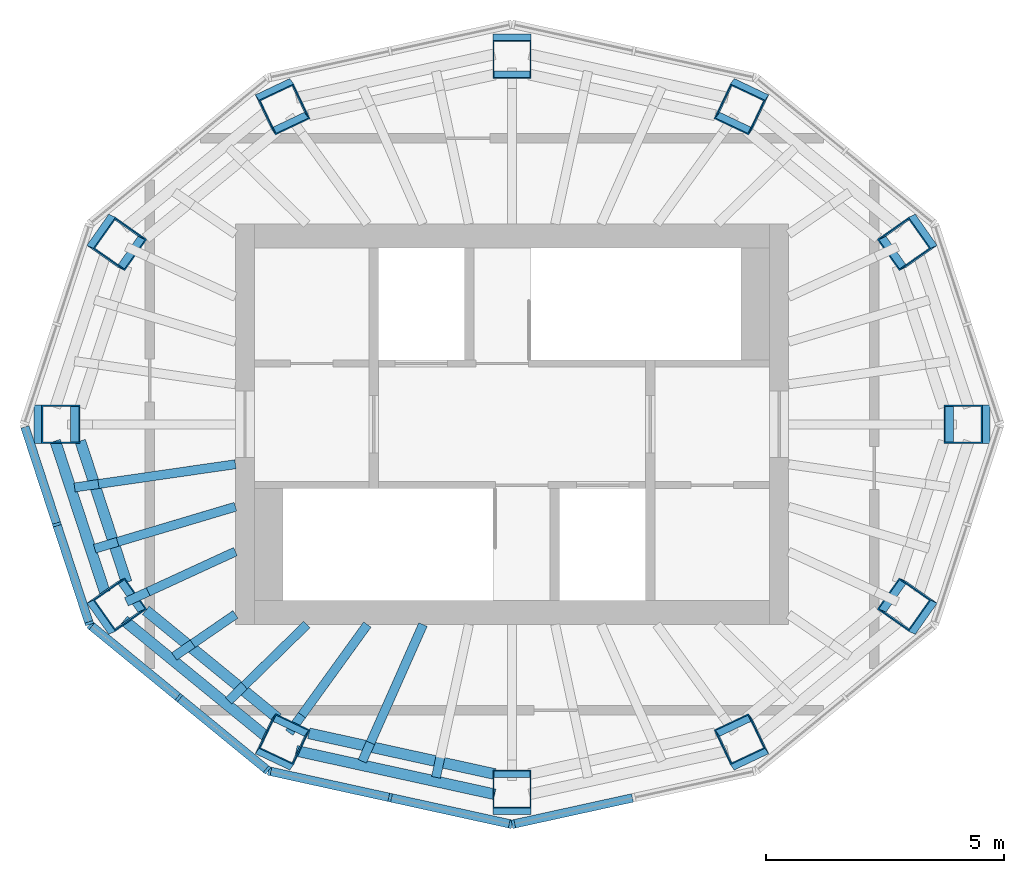
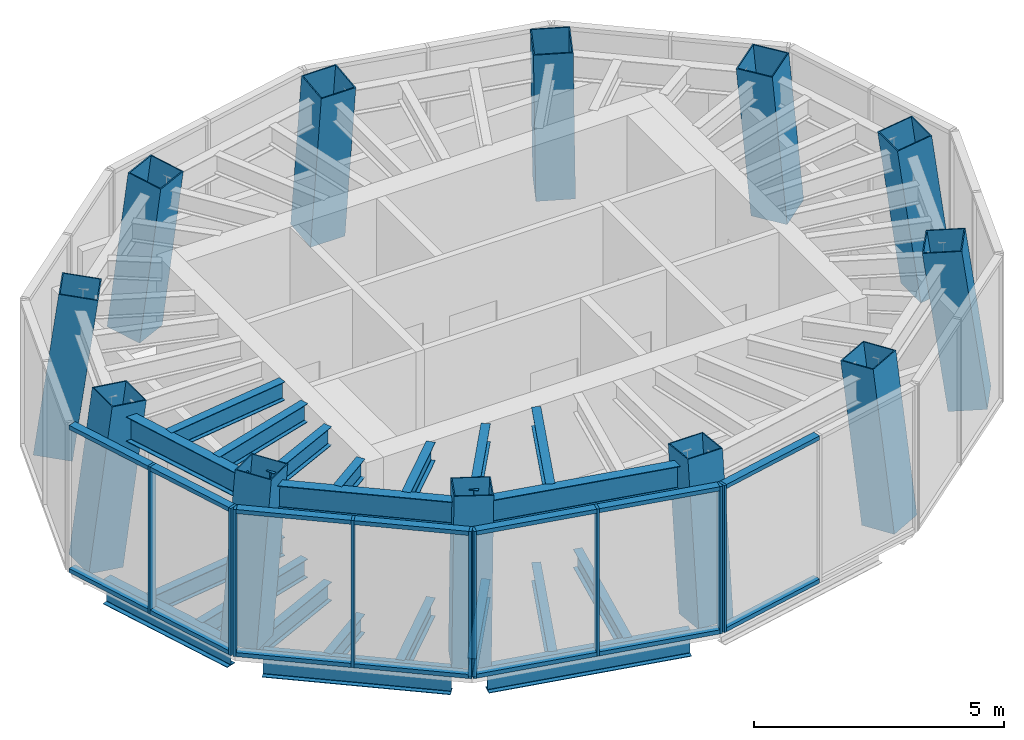
# One storey, part 1 of 6: 23 members, 21 beams, 12 columns, 4 elements without a shape of their own.
"""IFC4 building model written with IfcOpenShell, lengths in metres."""

from ifc_helpers import new_model, si_unit, direction, frame, origin, origin_2d, place, context, subcontext, project, spatial, rectangle, hollow_rectangle, i_section, extrude, material, layer, layer_set, material_profile, profile_set, type_object, element, aggregate, save


model = new_model("IFC4")

# Units and contexts
model_context = context("Model", 3, precision=1e-05, world=origin(), true_north=direction((0.0, 1.0)))
body_context = subcontext(model_context, "Body", "Model", "MODEL_VIEW")
ifc_project = project(units=[si_unit("LENGTHUNIT", "METRE"), si_unit("AREAUNIT", "SQUARE_METRE"), si_unit("VOLUMEUNIT", "CUBIC_METRE"), si_unit("PLANEANGLEUNIT", "RADIAN"), si_unit("MASSUNIT", "GRAM", prefix="KILO")], contexts=[model_context])

# Site, building, storey
site_placement = place(None, origin())
site = spatial("IfcSite", under=ifc_project, at=site_placement, CompositionType="ELEMENT")
building_placement = place(site_placement, origin())
building = spatial("IfcBuilding", under=site, at=building_placement, Name="Siaravel Broadcast Tower", CompositionType="ELEMENT")
storey_placement = place(building_placement, frame((0.0, 0.0, 292.10009765625)))
storey = spatial("IfcBuildingStorey", under=building, at=storey_placement, Name="L71", CompositionType="ELEMENT", Elevation=292.10009765625)

# Columns
ifc_material_1 = material(Name="Concrete C50/60", Category="concrete")
ifc_material_profile_1 = material_profile(ifc_material_1, hollow_rectangle(XDim=0.800048828125, YDim=0.800048828125, WallThickness=0.02490234375, at=origin_2d()))
ifc_profile_set_1 = profile_set([ifc_material_profile_1], Name="Concrete C50/60")
column_type = type_object("IfcColumnType", Name="Crown rib CFT BOX 800x800x25", PredefinedType="COLUMN", material=ifc_profile_set_1)
column_1_placement = place(storey_placement, frame((9.624755859375, 0.0, 0.0), z_axis=(-0.136922778, 0.0, 0.990581725), x_axis=(0.0, -1.0, 0.0)))
element("IfcColumn", 1, at=column_1_placement, inside=storey, type_object=column_type, Name="Crown rib 01", PredefinedType="COLUMN", context=body_context, shape_type="SweptSolid", body=[
    extrude(hollow_rectangle(XDim=0.800048828125, YDim=0.800048828125, WallThickness=0.02490234375, at=origin_2d()), origin(), (0.0, 0.0, 1.0), 3.93701171875),
])
column_2_placement = place(storey_placement, frame((8.3623046875, 3.84912109375, 0.0), z_axis=(-0.119034705, -0.054800649, 0.991376633), x_axis=(0.574755771, -0.817978965, 0.023795301)))
element("IfcColumn", 2, at=column_2_placement, inside=storey, type_object=column_type, Name="Crown rib 02", PredefinedType="COLUMN", context=body_context, shape_type="SweptSolid", body=[
    extrude(hollow_rectangle(XDim=0.800048828125, YDim=0.800048828125, WallThickness=0.02490234375, at=origin_2d()), origin(), (0.0, 0.0, 1.0), 3.933837890625),
])
column_3_placement = place(storey_placement, frame((4.852783203125, 6.718994140625, 0.0), z_axis=(-0.069187562, -0.095793381, 0.992993811), x_axis=(0.903250872, -0.428569359, 0.021590888)))
element("IfcColumn", 3, at=column_3_placement, inside=storey, type_object=column_type, Name="Crown rib 03", PredefinedType="COLUMN", context=body_context, shape_type="SweptSolid", body=[
    extrude(hollow_rectangle(XDim=0.800048828125, YDim=0.800048828125, WallThickness=0.02490234375, at=origin_2d()), origin(), (0.0, 0.0, 1.0), 3.927490234375),
])
column_4_placement = place(storey_placement, frame((0.0, 7.782958984375, 0.0), z_axis=(0.0, -0.111052891, 0.993814497), x_axis=(1.0, 0.0, 0.0)))
element("IfcColumn", 4, at=column_4_placement, inside=storey, type_object=column_type, Name="Crown rib 04", PredefinedType="COLUMN", context=body_context, shape_type="SweptSolid", body=[
    extrude(hollow_rectangle(XDim=0.800048828125, YDim=0.800048828125, WallThickness=0.02490234375, at=origin_2d()), origin(), (0.0, 0.0, 1.0), 3.924072265625),
])
column_5_placement = place(storey_placement, frame((-4.852783203125, 6.718994140625, 0.0), z_axis=(0.069187562, -0.095793381, 0.992993811), x_axis=(0.903250872, 0.428569359, -0.021590888)))
element("IfcColumn", 5, at=column_5_placement, inside=storey, type_object=column_type, Name="Crown rib 05", PredefinedType="COLUMN", context=body_context, shape_type="SweptSolid", body=[
    extrude(hollow_rectangle(XDim=0.800048828125, YDim=0.800048828125, WallThickness=0.02490234375, at=origin_2d()), origin(), (0.0, 0.0, 1.0), 3.927490234375),
])
column_6_placement = place(storey_placement, frame((-8.3623046875, 3.84912109375, 0.0), z_axis=(0.119034705, -0.054800649, 0.991376633), x_axis=(0.574755771, 0.817978965, -0.023795301)))
element("IfcColumn", 6, at=column_6_placement, inside=storey, type_object=column_type, Name="Crown rib 06", PredefinedType="COLUMN", context=body_context, shape_type="SweptSolid", body=[
    extrude(hollow_rectangle(XDim=0.800048828125, YDim=0.800048828125, WallThickness=0.02490234375, at=origin_2d()), origin(), (0.0, 0.0, 1.0), 3.933837890625),
])
column_7_placement = place(storey_placement, frame((-9.624755859375, 0.0, 0.0), z_axis=(0.136922778, 0.0, 0.990581725), x_axis=(0.0, 1.0, 0.0)))
element("IfcColumn", 7, at=column_7_placement, inside=storey, type_object=column_type, Name="Crown rib 07", PredefinedType="COLUMN", context=body_context, shape_type="SweptSolid", body=[
    extrude(hollow_rectangle(XDim=0.800048828125, YDim=0.800048828125, WallThickness=0.02490234375, at=origin_2d()), origin(), (0.0, 0.0, 1.0), 3.93701171875),
])
column_8_placement = place(storey_placement, frame((-8.3623046875, -3.84912109375, 0.0), z_axis=(0.119034705, 0.054800649, 0.991376633), x_axis=(-0.574755771, 0.817978965, 0.023795301)))
element("IfcColumn", 8, at=column_8_placement, inside=storey, type_object=column_type, Name="Crown rib 08", PredefinedType="COLUMN", context=body_context, shape_type="SweptSolid", body=[
    extrude(hollow_rectangle(XDim=0.800048828125, YDim=0.800048828125, WallThickness=0.02490234375, at=origin_2d()), origin(), (0.0, 0.0, 1.0), 3.933837890625),
])
column_9_placement = place(storey_placement, frame((-4.852783203125, -6.718994140625, 0.0), z_axis=(0.069187562, 0.095793381, 0.992993811), x_axis=(-0.903250872, 0.428569359, 0.021590888)))
element("IfcColumn", 9, at=column_9_placement, inside=storey, type_object=column_type, Name="Crown rib 09", PredefinedType="COLUMN", context=body_context, shape_type="SweptSolid", body=[
    extrude(hollow_rectangle(XDim=0.800048828125, YDim=0.800048828125, WallThickness=0.02490234375, at=origin_2d()), origin(), (0.0, 0.0, 1.0), 3.927490234375),
])
column_10_placement = place(storey_placement, frame((0.0, -7.782958984375, 0.0), z_axis=(0.0, 0.111052891, 0.993814497), x_axis=(-1.0, 0.0, 0.0)))
element("IfcColumn", 10, at=column_10_placement, inside=storey, type_object=column_type, Name="Crown rib 10", PredefinedType="COLUMN", context=body_context, shape_type="SweptSolid", body=[
    extrude(hollow_rectangle(XDim=0.800048828125, YDim=0.800048828125, WallThickness=0.02490234375, at=origin_2d()), origin(), (0.0, 0.0, 1.0), 3.924072265625),
])
column_11_placement = place(storey_placement, frame((4.852783203125, -6.718994140625, 0.0), z_axis=(-0.069187562, 0.095793381, 0.992993811), x_axis=(-0.903250872, -0.428569359, -0.021590888)))
element("IfcColumn", 11, at=column_11_placement, inside=storey, type_object=column_type, Name="Crown rib 11", PredefinedType="COLUMN", context=body_context, shape_type="SweptSolid", body=[
    extrude(hollow_rectangle(XDim=0.800048828125, YDim=0.800048828125, WallThickness=0.02490234375, at=origin_2d()), origin(), (0.0, 0.0, 1.0), 3.927490234375),
])
column_12_placement = place(storey_placement, frame((8.3623046875, -3.84912109375, 0.0), z_axis=(-0.119034705, 0.054800649, 0.991376633), x_axis=(-0.574755771, -0.817978965, -0.023795301)))
element("IfcColumn", 12, at=column_12_placement, inside=storey, type_object=column_type, Name="Crown rib 12", PredefinedType="COLUMN", context=body_context, shape_type="SweptSolid", body=[
    extrude(hollow_rectangle(XDim=0.800048828125, YDim=0.800048828125, WallThickness=0.02490234375, at=origin_2d()), origin(), (0.0, 0.0, 1.0), 3.933837890625),
])

# Curtain wall, members
ifc_material_2 = material(Name="Aluminium 6063-T6", Category="aluminium")
ifc_layer = layer(ifc_material_2, 0.179931640625)
ifc_layer_set = layer_set([ifc_layer], Name="Aluminium 6063-T6")
curtain_wall_type = type_object("IfcCurtainWallType", Name="Crown glass facet wall", PredefinedType="NOTDEFINED", material=ifc_layer_set)
curtain_wall_1_placement = place(storey_placement, origin())
curtain_wall_1 = element("IfcCurtainWall", 13, at=curtain_wall_1_placement, inside=storey, type_object=curtain_wall_type, Name="L71 Crown glass facet wall 07", PredefinedType="NOTDEFINED")
ifc_material_profile_2 = material_profile(ifc_material_2, rectangle(XDim=0.179931640625, YDim=0.06005859375, at=origin_2d()))
ifc_profile_set_2 = profile_set([ifc_material_profile_2], Name="Aluminium 6063-T6")
member_type_1 = type_object("IfcMemberType", Name="CW-CR mullion", PredefinedType="MULLION", material=ifc_profile_set_2)
member_1_placement = place(storey_placement, frame((-9.545166015625, -2.099365234375, 0.0), z_axis=(0.0, 0.0, 1.0), x_axis=(0.950459599, 0.310848114, 0.0)))
member_1 = element("IfcMember", 14, at=member_1_placement, type_object=member_type_1, Name="CW-CR mullion 2", PredefinedType="MULLION", context=body_context, shape_type="SweptSolid", body=[
    extrude(rectangle(XDim=0.179931640625, YDim=0.06005859375, at=origin_2d()), origin(), (0.0, 0.0, 1.0), 3.599853515625),
])
member_2_placement = place(storey_placement, frame((-8.867919921875, -4.17041015625, 0.0), z_axis=(0.0, 0.0, 1.0), x_axis=(0.950459599, 0.310848114, 0.0)))
member_2 = element("IfcMember", 15, at=member_2_placement, type_object=member_type_1, Name="CW-CR mullion 3", PredefinedType="MULLION", context=body_context, shape_type="SweptSolid", body=[
    extrude(rectangle(XDim=0.179931640625, YDim=0.06005859375, at=origin_2d()), origin(), (0.0, 0.0, 1.0), 3.599853515625),
])

curtain_wall_2_placement = place(storey_placement, origin())
curtain_wall_2 = element("IfcCurtainWall", 16, at=curtain_wall_2_placement, inside=storey, type_object=curtain_wall_type, Name="L71 Crown glass facet wall 08", PredefinedType="NOTDEFINED")
member_3_placement = place(storey_placement, frame((-8.835205078125, -4.2177734375, 0.0), z_axis=(0.0, 0.0, 1.0), x_axis=(0.633723768, 0.773559427, 0.0)))
member_3 = element("IfcMember", 17, at=member_3_placement, type_object=member_type_1, Name="CW-CR mullion 1", PredefinedType="MULLION", context=body_context, shape_type="SweptSolid", body=[
    extrude(rectangle(XDim=0.179931640625, YDim=0.06005859375, at=origin_2d()), origin(), (0.0, 0.0, 1.0), 3.599853515625),
])
member_4_placement = place(storey_placement, frame((-6.9853515625, -5.7333984375, 0.0), z_axis=(0.0, 0.0, 1.0), x_axis=(0.633723768, 0.773559427, 0.0)))
member_4 = element("IfcMember", 18, at=member_4_placement, type_object=member_type_1, Name="CW-CR mullion 2", PredefinedType="MULLION", context=body_context, shape_type="SweptSolid", body=[
    extrude(rectangle(XDim=0.179931640625, YDim=0.06005859375, at=origin_2d()), origin(), (0.0, 0.0, 1.0), 3.599853515625),
])
member_5_placement = place(storey_placement, frame((-5.135498046875, -7.248779296875, 0.0), z_axis=(0.0, 0.0, 1.0), x_axis=(0.633723768, 0.773559427, 0.0)))
member_5 = element("IfcMember", 19, at=member_5_placement, type_object=member_type_1, Name="CW-CR mullion 3", PredefinedType="MULLION", context=body_context, shape_type="SweptSolid", body=[
    extrude(rectangle(XDim=0.179931640625, YDim=0.06005859375, at=origin_2d()), origin(), (0.0, 0.0, 1.0), 3.599853515625),
])

curtain_wall_3_placement = place(storey_placement, origin())
curtain_wall_3 = element("IfcCurtainWall", 20, at=curtain_wall_3_placement, inside=storey, type_object=curtain_wall_type, Name="L71 Crown glass facet wall 09", PredefinedType="NOTDEFINED")
member_6_placement = place(storey_placement, frame((-5.0830078125, -7.2744140625, 0.0), z_axis=(0.0, 0.0, 1.0), x_axis=(0.214398525, 0.976746268, 0.0)))
member_6 = element("IfcMember", 21, at=member_6_placement, type_object=member_type_1, Name="CW-CR mullion 1", PredefinedType="MULLION", context=body_context, shape_type="SweptSolid", body=[
    extrude(rectangle(XDim=0.179931640625, YDim=0.06005859375, at=origin_2d()), origin(), (0.0, 0.0, 1.0), 3.599853515625),
])
member_7_placement = place(storey_placement, frame((-2.55615234375, -7.828857421875, 0.0), z_axis=(0.0, 0.0, 1.0), x_axis=(0.214398525, 0.976746268, 0.0)))
member_7 = element("IfcMember", 22, at=member_7_placement, type_object=member_type_1, Name="CW-CR mullion 2", PredefinedType="MULLION", context=body_context, shape_type="SweptSolid", body=[
    extrude(rectangle(XDim=0.179931640625, YDim=0.06005859375, at=origin_2d()), origin(), (0.0, 0.0, 1.0), 3.599853515625),
])
member_8_placement = place(storey_placement, frame((-0.029296875, -8.383544921875, 0.0), z_axis=(0.0, 0.0, 1.0), x_axis=(0.214398525, 0.976746268, 0.0)))
member_8 = element("IfcMember", 23, at=member_8_placement, type_object=member_type_1, Name="CW-CR mullion 3", PredefinedType="MULLION", context=body_context, shape_type="SweptSolid", body=[
    extrude(rectangle(XDim=0.179931640625, YDim=0.06005859375, at=origin_2d()), origin(), (0.0, 0.0, 1.0), 3.599853515625),
])

# Curtain wall, member
curtain_wall_4_placement = place(storey_placement, origin())
curtain_wall_4 = element("IfcCurtainWall", 24, at=curtain_wall_4_placement, inside=storey, type_object=curtain_wall_type, Name="L71 Crown glass facet wall 10", PredefinedType="NOTDEFINED")
member_9_placement = place(storey_placement, frame((0.029296875, -8.383544921875, 0.0), z_axis=(0.0, 0.0, 1.0), x_axis=(-0.214398525, 0.976746268, 0.0)))
member_9 = element("IfcMember", 25, at=member_9_placement, type_object=member_type_1, Name="CW-CR mullion 1", PredefinedType="MULLION", context=body_context, shape_type="SweptSolid", body=[
    extrude(rectangle(XDim=0.179931640625, YDim=0.06005859375, at=origin_2d()), origin(), (0.0, 0.0, 1.0), 3.599853515625),
])

# Member
ifc_material_profile_3 = material_profile(ifc_material_2, rectangle(XDim=0.179931640625, YDim=0.10009765625, at=origin_2d()))
ifc_profile_set_3 = profile_set([ifc_material_profile_3], Name="Aluminium 6063-T6")
member_type_2 = type_object("IfcMemberType", Name="CW-CR transom", PredefinedType="USERDEFINED", material=ifc_profile_set_3)
member_10_placement = place(storey_placement, frame((-10.212890625, -0.056884765625, 0.0498046875), z_axis=(0.310760877, -0.950488126, 0.0), x_axis=(0.950488126, 0.310760877, 0.0)))
member_10 = element("IfcMember", 26, at=member_10_placement, type_object=member_type_2, Name="CW-CR transom 1", ObjectType="TRANSOM", PredefinedType="USERDEFINED", context=body_context, shape_type="SweptSolid", body=[
    extrude(rectangle(XDim=0.179931640625, YDim=0.10009765625, at=origin_2d()), origin(), (0.0, 0.0, 1.0), 2.118896484375),
])

member_11_placement = place(storey_placement, frame((-10.212890625, -0.056884765625, 3.5498046875), z_axis=(0.310760877, -0.950488126, 0.0), x_axis=(0.950488126, 0.310760877, 0.0)))
member_11 = element("IfcMember", 27, at=member_11_placement, type_object=member_type_2, Name="CW-CR transom 1", ObjectType="TRANSOM", PredefinedType="USERDEFINED", context=body_context, shape_type="SweptSolid", body=[
    extrude(rectangle(XDim=0.179931640625, YDim=0.10009765625, at=origin_2d()), origin(), (0.0, 0.0, 1.0), 2.118896484375),
])

member_12_placement = place(storey_placement, frame((-9.535888671875, -2.1279296875, 0.0498046875), z_axis=(0.310864969, -0.950454087, 0.0), x_axis=(0.950454087, 0.310864969, 0.0)))
member_12 = element("IfcMember", 28, at=member_12_placement, type_object=member_type_2, Name="CW-CR transom 2", ObjectType="TRANSOM", PredefinedType="USERDEFINED", context=body_context, shape_type="SweptSolid", body=[
    extrude(rectangle(XDim=0.179931640625, YDim=0.10009765625, at=origin_2d()), origin(), (0.0, 0.0, 1.0), 2.118896484375),
])

member_13_placement = place(storey_placement, frame((-9.535888671875, -2.1279296875, 3.5498046875), z_axis=(0.310864969, -0.950454087, 0.0), x_axis=(0.950454087, 0.310864969, 0.0)))
member_13 = element("IfcMember", 29, at=member_13_placement, type_object=member_type_2, Name="CW-CR transom 2", ObjectType="TRANSOM", PredefinedType="USERDEFINED", context=body_context, shape_type="SweptSolid", body=[
    extrude(rectangle(XDim=0.179931640625, YDim=0.10009765625, at=origin_2d()), origin(), (0.0, 0.0, 1.0), 2.118896484375),
])

aggregate(curtain_wall_1, [member_1, member_2, member_10, member_11, member_12, member_13])

member_14_placement = place(storey_placement, frame((-8.81201171875, -4.23681640625, 0.0498046875), z_axis=(0.773541895, -0.633745167, 0.0), x_axis=(0.633745167, 0.773541895, 0.0)))
member_14 = element("IfcMember", 30, at=member_14_placement, type_object=member_type_2, Name="CW-CR transom 1", ObjectType="TRANSOM", PredefinedType="USERDEFINED", context=body_context, shape_type="SweptSolid", body=[
    extrude(rectangle(XDim=0.179931640625, YDim=0.10009765625, at=origin_2d()), origin(), (0.0, 0.0, 1.0), 2.33154296875),
])

member_15_placement = place(storey_placement, frame((-8.81201171875, -4.23681640625, 3.5498046875), z_axis=(0.773541895, -0.633745167, 0.0), x_axis=(0.633745167, 0.773541895, 0.0)))
member_15 = element("IfcMember", 31, at=member_15_placement, type_object=member_type_2, Name="CW-CR transom 1", ObjectType="TRANSOM", PredefinedType="USERDEFINED", context=body_context, shape_type="SweptSolid", body=[
    extrude(rectangle(XDim=0.179931640625, YDim=0.10009765625, at=origin_2d()), origin(), (0.0, 0.0, 1.0), 2.33154296875),
])

member_16_placement = place(storey_placement, frame((-6.962158203125, -5.752197265625, 0.0498046875), z_axis=(0.773541895, -0.633745167, 0.0), x_axis=(0.633745167, 0.773541895, 0.0)))
member_16 = element("IfcMember", 32, at=member_16_placement, type_object=member_type_2, Name="CW-CR transom 2", ObjectType="TRANSOM", PredefinedType="USERDEFINED", context=body_context, shape_type="SweptSolid", body=[
    extrude(rectangle(XDim=0.179931640625, YDim=0.10009765625, at=origin_2d()), origin(), (0.0, 0.0, 1.0), 2.33154296875),
])

member_17_placement = place(storey_placement, frame((-6.962158203125, -5.752197265625, 3.5498046875), z_axis=(0.773541895, -0.633745167, 0.0), x_axis=(0.633745167, 0.773541895, 0.0)))
member_17 = element("IfcMember", 33, at=member_17_placement, type_object=member_type_2, Name="CW-CR transom 2", ObjectType="TRANSOM", PredefinedType="USERDEFINED", context=body_context, shape_type="SweptSolid", body=[
    extrude(rectangle(XDim=0.179931640625, YDim=0.10009765625, at=origin_2d()), origin(), (0.0, 0.0, 1.0), 2.33154296875),
])

aggregate(curtain_wall_2, [member_3, member_4, member_5, member_14, member_15, member_16, member_17])

member_18_placement = place(storey_placement, frame((-5.0537109375, -7.28076171875, 0.0498046875), z_axis=(0.976749771, -0.214382566, 0.0), x_axis=(0.214382566, 0.976749771, 0.0)))
member_18 = element("IfcMember", 34, at=member_18_placement, type_object=member_type_2, Name="CW-CR transom 1", ObjectType="TRANSOM", PredefinedType="USERDEFINED", context=body_context, shape_type="SweptSolid", body=[
    extrude(rectangle(XDim=0.179931640625, YDim=0.10009765625, at=origin_2d()), origin(), (0.0, 0.0, 1.0), 2.527099609375),
])

member_19_placement = place(storey_placement, frame((-5.0537109375, -7.28076171875, 3.5498046875), z_axis=(0.976749771, -0.214382566, 0.0), x_axis=(0.214382566, 0.976749771, 0.0)))
member_19 = element("IfcMember", 35, at=member_19_placement, type_object=member_type_2, Name="CW-CR transom 1", ObjectType="TRANSOM", PredefinedType="USERDEFINED", context=body_context, shape_type="SweptSolid", body=[
    extrude(rectangle(XDim=0.179931640625, YDim=0.10009765625, at=origin_2d()), origin(), (0.0, 0.0, 1.0), 2.527099609375),
])

member_20_placement = place(storey_placement, frame((-2.52685546875, -7.83544921875, 0.0498046875), z_axis=(0.976749771, -0.214382566, 0.0), x_axis=(0.214382566, 0.976749771, 0.0)))
member_20 = element("IfcMember", 36, at=member_20_placement, type_object=member_type_2, Name="CW-CR transom 2", ObjectType="TRANSOM", PredefinedType="USERDEFINED", context=body_context, shape_type="SweptSolid", body=[
    extrude(rectangle(XDim=0.179931640625, YDim=0.10009765625, at=origin_2d()), origin(), (0.0, 0.0, 1.0), 2.527099609375),
])

member_21_placement = place(storey_placement, frame((-2.52685546875, -7.83544921875, 3.5498046875), z_axis=(0.976749771, -0.214382566, 0.0), x_axis=(0.214382566, 0.976749771, 0.0)))
member_21 = element("IfcMember", 37, at=member_21_placement, type_object=member_type_2, Name="CW-CR transom 2", ObjectType="TRANSOM", PredefinedType="USERDEFINED", context=body_context, shape_type="SweptSolid", body=[
    extrude(rectangle(XDim=0.179931640625, YDim=0.10009765625, at=origin_2d()), origin(), (0.0, 0.0, 1.0), 2.527099609375),
])

aggregate(curtain_wall_3, [member_6, member_7, member_8, member_18, member_19, member_20, member_21])

member_22_placement = place(storey_placement, frame((0.05859375, -8.377197265625, 0.0498046875), z_axis=(0.976749771, 0.214382566, 0.0), x_axis=(-0.214382566, 0.976749771, 0.0)))
member_22 = element("IfcMember", 38, at=member_22_placement, type_object=member_type_2, Name="CW-CR transom 1", ObjectType="TRANSOM", PredefinedType="USERDEFINED", context=body_context, shape_type="SweptSolid", body=[
    extrude(rectangle(XDim=0.179931640625, YDim=0.10009765625, at=origin_2d()), origin(), (0.0, 0.0, 1.0), 2.527099609375),
])

member_23_placement = place(storey_placement, frame((0.05859375, -8.377197265625, 3.5498046875), z_axis=(0.976749771, 0.214382566, 0.0), x_axis=(-0.214382566, 0.976749771, 0.0)))
member_23 = element("IfcMember", 39, at=member_23_placement, type_object=member_type_2, Name="CW-CR transom 1", ObjectType="TRANSOM", PredefinedType="USERDEFINED", context=body_context, shape_type="SweptSolid", body=[
    extrude(rectangle(XDim=0.179931640625, YDim=0.10009765625, at=origin_2d()), origin(), (0.0, 0.0, 1.0), 2.527099609375),
])

aggregate(curtain_wall_4, [member_9, member_22, member_23])

# Beams
ifc_material_3 = material(Name="Steel S355", Category="steel")
ifc_material_profile_4 = material_profile(ifc_material_3, i_section(OverallWidth=0.18994140625, OverallDepth=0.453369140625, WebThickness=0.008544921875, FlangeThickness=0.0126953125, FilletRadius=0.01025390625, at=origin_2d()))
ifc_profile_set_4 = profile_set([ifc_material_profile_4], Name="Steel S355")
beam_type_1 = type_object("IfcBeamType", Name="Crown radial beam UB 457x191x67", PredefinedType="BEAM", material=ifc_profile_set_4)
beam_1_placement = place(storey_placement, frame((-9.172607421875, -1.32470703125, -0.4267578125), z_axis=(0.989731961, 0.142935809, 0.0), x_axis=(-0.142935809, 0.989731961, 0.0)))
element("IfcBeam", 40, at=beam_1_placement, inside=storey, type_object=beam_type_1, Name="Crown radial beam 6-20", PredefinedType="BEAM", context=body_context, shape_type="SweptSolid", body=[
    extrude(i_section(OverallWidth=0.18994140625, OverallDepth=0.453369140625, WebThickness=0.008544921875, FlangeThickness=0.0126953125, FilletRadius=0.01025390625, at=origin_2d()), origin(), (0.0, 0.0, 1.0), 3.407470703125),
])
beam_2_placement = place(storey_placement, frame((-8.750244140625, -2.608642578125, -0.4267578125), z_axis=(0.958309478, 0.285732295, 0.0), x_axis=(-0.285732295, 0.958309478, 0.0)))
element("IfcBeam", 41, at=beam_2_placement, inside=storey, type_object=beam_type_1, Name="Crown radial beam 6-21", PredefinedType="BEAM", context=body_context, shape_type="SweptSolid", body=[
    extrude(i_section(OverallWidth=0.18994140625, OverallDepth=0.453369140625, WebThickness=0.008544921875, FlangeThickness=0.0126953125, FilletRadius=0.01025390625, at=origin_2d()), origin(), (0.0, 0.0, 1.0), 3.07861328125),
])
beam_3_placement = place(storey_placement, frame((-8.086181640625, -3.721923828125, -0.4267578125), z_axis=(0.908396142, 0.41811057, 0.0), x_axis=(-0.41811057, 0.908396142, 0.0)))
element("IfcBeam", 42, at=beam_3_placement, inside=storey, type_object=beam_type_1, Name="Crown radial beam 6-22", PredefinedType="BEAM", context=body_context, shape_type="SweptSolid", body=[
    extrude(i_section(OverallWidth=0.18994140625, OverallDepth=0.453369140625, WebThickness=0.008544921875, FlangeThickness=0.0126953125, FilletRadius=0.01025390625, at=origin_2d()), origin(), (0.0, 0.0, 1.0), 2.5166015625),
])
beam_4_placement = place(storey_placement, frame((-7.0830078125, -4.8681640625, -0.4267578125), z_axis=(0.824101404, 0.566442297, 0.0), x_axis=(-0.566442297, 0.824101404, 0.0)))
element("IfcBeam", 43, at=beam_4_placement, inside=storey, type_object=beam_type_1, Name="Crown radial beam 6-23", PredefinedType="BEAM", context=body_context, shape_type="SweptSolid", body=[
    extrude(i_section(OverallWidth=0.18994140625, OverallDepth=0.453369140625, WebThickness=0.008544921875, FlangeThickness=0.0126953125, FilletRadius=0.01025390625, at=origin_2d()), origin(), (0.0, 0.0, 1.0), 1.556884765625),
])
beam_5_placement = place(storey_placement, frame((-5.9404296875, -5.798828125, -0.4267578125), z_axis=(0.715588169, 0.698522421, 0.0), x_axis=(-0.698522421, 0.715588169, 0.0)))
element("IfcBeam", 44, at=beam_5_placement, inside=storey, type_object=beam_type_1, Name="Crown radial beam 6-24", PredefinedType="BEAM", context=body_context, shape_type="SweptSolid", body=[
    extrude(i_section(OverallWidth=0.18994140625, OverallDepth=0.453369140625, WebThickness=0.008544921875, FlangeThickness=0.0126953125, FilletRadius=0.01025390625, at=origin_2d()), origin(), (0.0, 0.0, 1.0), 2.2890625),
])
beam_6_placement = place(storey_placement, frame((-4.6708984375, -6.46728515625, -0.4267578125), z_axis=(0.585531984, 0.810649305, 0.0), x_axis=(-0.810649305, 0.585531984, 0.0)))
element("IfcBeam", 45, at=beam_6_placement, inside=storey, type_object=beam_type_1, Name="Crown radial beam 6-25", PredefinedType="BEAM", context=body_context, shape_type="SweptSolid", body=[
    extrude(i_section(OverallWidth=0.18994140625, OverallDepth=0.453369140625, WebThickness=0.008544921875, FlangeThickness=0.0126953125, FilletRadius=0.01025390625, at=origin_2d()), origin(), (0.0, 0.0, 1.0), 2.796875),
])
beam_7_placement = place(storey_placement, frame((-3.139892578125, -7.06640625, -0.4267578125), z_axis=(0.406059026, 0.913846851, 0.0), x_axis=(-0.913846851, 0.406059026, 0.0)))
element("IfcBeam", 46, at=beam_7_placement, inside=storey, type_object=beam_type_1, Name="Crown radial beam 6-26", PredefinedType="BEAM", context=body_context, shape_type="SweptSolid", body=[
    extrude(i_section(OverallWidth=0.18994140625, OverallDepth=0.453369140625, WebThickness=0.008544921875, FlangeThickness=0.0126953125, FilletRadius=0.01025390625, at=origin_2d()), origin(), (0.0, 0.0, 1.0), 3.13671875),
])
beam_8_placement = place(storey_placement, frame((-1.59375, -7.40380859375, -0.4267578125), z_axis=(0.210449833, 0.977604658, 0.0), x_axis=(-0.977604658, 0.210449833, 0.0)))
element("IfcBeam", 47, at=beam_8_placement, inside=storey, type_object=beam_type_1, Name="Crown radial beam 6-27", PredefinedType="BEAM", context=body_context, shape_type="SweptSolid", body=[
    extrude(i_section(OverallWidth=0.18994140625, OverallDepth=0.453369140625, WebThickness=0.008544921875, FlangeThickness=0.0126953125, FilletRadius=0.01025390625, at=origin_2d()), origin(), (0.0, 0.0, 1.0), 3.27734375),
])
beam_9_placement = place(storey_placement, frame((-8.671142578125, -1.25244140625, 3.373291015625), z_axis=(0.989724387, 0.142988243, 0.0), x_axis=(-0.142988243, 0.989724387, 0.0)))
element("IfcBeam", 48, at=beam_9_placement, inside=storey, type_object=beam_type_1, Name="Crown radial beam 7-20", PredefinedType="BEAM", context=body_context, shape_type="SweptSolid", body=[
    extrude(i_section(OverallWidth=0.18994140625, OverallDepth=0.453369140625, WebThickness=0.008544921875, FlangeThickness=0.0126953125, FilletRadius=0.01025390625, at=origin_2d()), origin(), (0.0, 0.0, 1.0), 2.90087890625),
])
beam_10_placement = place(storey_placement, frame((-8.271728515625, -2.466064453125, 3.373291015625), z_axis=(0.958325049, 0.285680067, 0.0), x_axis=(-0.285680067, 0.958325049, 0.0)))
element("IfcBeam", 49, at=beam_10_placement, inside=storey, type_object=beam_type_1, Name="Crown radial beam 7-21", PredefinedType="BEAM", context=body_context, shape_type="SweptSolid", body=[
    extrude(i_section(OverallWidth=0.18994140625, OverallDepth=0.453369140625, WebThickness=0.008544921875, FlangeThickness=0.0126953125, FilletRadius=0.01025390625, at=origin_2d()), origin(), (0.0, 0.0, 1.0), 2.5791015625),
])
beam_11_placement = place(storey_placement, frame((-7.6298828125, -3.511962890625, 3.373291015625), z_axis=(0.90838459, 0.418135668, 0.0), x_axis=(-0.418135668, 0.90838459, 0.0)))
element("IfcBeam", 50, at=beam_11_placement, inside=storey, type_object=beam_type_1, Name="Crown radial beam 7-22", PredefinedType="BEAM", context=body_context, shape_type="SweptSolid", body=[
    extrude(i_section(OverallWidth=0.18994140625, OverallDepth=0.453369140625, WebThickness=0.008544921875, FlangeThickness=0.0126953125, FilletRadius=0.01025390625, at=origin_2d()), origin(), (0.0, 0.0, 1.0), 2.014404296875),
])
beam_12_placement = place(storey_placement, frame((-6.6953125, -4.601806640625, 3.373291015625), z_axis=(0.824153388, 0.566366659, 0.0), x_axis=(-0.566366659, 0.824153388, 0.0)))
element("IfcBeam", 51, at=beam_12_placement, inside=storey, type_object=beam_type_1, Name="Crown radial beam 7-23", PredefinedType="BEAM", context=body_context, shape_type="SweptSolid", body=[
    extrude(i_section(OverallWidth=0.18994140625, OverallDepth=0.453369140625, WebThickness=0.008544921875, FlangeThickness=0.0126953125, FilletRadius=0.01025390625, at=origin_2d()), origin(), (0.0, 0.0, 1.0), 1.086181640625),
])
beam_13_placement = place(storey_placement, frame((-5.615234375, -5.481689453125, 3.373291015625), z_axis=(0.715506104, 0.698606481, 0.0), x_axis=(-0.698606481, 0.715506104, 0.0)))
element("IfcBeam", 52, at=beam_13_placement, inside=storey, type_object=beam_type_1, Name="Crown radial beam 7-24", PredefinedType="BEAM", context=body_context, shape_type="SweptSolid", body=[
    extrude(i_section(OverallWidth=0.18994140625, OverallDepth=0.453369140625, WebThickness=0.008544921875, FlangeThickness=0.0126953125, FilletRadius=0.01025390625, at=origin_2d()), origin(), (0.0, 0.0, 1.0), 1.834716796875),
])
beam_14_placement = place(storey_placement, frame((-4.40625, -6.1005859375, 3.373291015625), z_axis=(0.585524771, 0.810654515, 0.0), x_axis=(-0.810654515, 0.585524771, 0.0)))
element("IfcBeam", 53, at=beam_14_placement, inside=storey, type_object=beam_type_1, Name="Crown radial beam 7-25", PredefinedType="BEAM", context=body_context, shape_type="SweptSolid", body=[
    extrude(i_section(OverallWidth=0.18994140625, OverallDepth=0.453369140625, WebThickness=0.008544921875, FlangeThickness=0.0126953125, FilletRadius=0.01025390625, at=origin_2d()), origin(), (0.0, 0.0, 1.0), 2.344482421875),
])
beam_15_placement = place(storey_placement, frame((-2.968017578125, -6.679443359375, 3.373291015625), z_axis=(0.406080025, 0.91383752, 0.0), x_axis=(-0.91383752, 0.406080025, 0.0)))
element("IfcBeam", 54, at=beam_15_placement, inside=storey, type_object=beam_type_1, Name="Crown radial beam 7-26", PredefinedType="BEAM", context=body_context, shape_type="SweptSolid", body=[
    extrude(i_section(OverallWidth=0.18994140625, OverallDepth=0.453369140625, WebThickness=0.008544921875, FlangeThickness=0.0126953125, FilletRadius=0.01025390625, at=origin_2d()), origin(), (0.0, 0.0, 1.0), 2.71337890625),
])
ifc_material_profile_5 = material_profile(ifc_material_3, i_section(OverallWidth=0.2275390625, OverallDepth=0.6025390625, WebThickness=0.010498046875, FlangeThickness=0.014892578125, FilletRadius=0.0126953125, at=origin_2d()))
ifc_profile_set_5 = profile_set([ifc_material_profile_5], Name="Steel S355")
beam_type_2 = type_object("IfcBeamType", Name="Crown ring beam UB 610x229x101", PredefinedType="SPANDREL", material=ifc_profile_set_5)
beam_16_placement = place(storey_placement, frame((-9.57861328125, -0.3515625, -0.50146484375), z_axis=(0.311684834, -0.950185542, 0.0), x_axis=(0.950185542, 0.311684834, 0.0)))
element("IfcBeam", 55, at=beam_16_placement, inside=storey, type_object=beam_type_2, Name="Crown ring beam 6-07", PredefinedType="SPANDREL", context=body_context, shape_type="SweptSolid", body=[
    extrude(i_section(OverallWidth=0.2275390625, OverallDepth=0.6025390625, WebThickness=0.010498046875, FlangeThickness=0.014892578125, FilletRadius=0.0126953125, at=origin_2d()), origin(), (0.0, 0.0, 1.0), 3.33984375),
])
beam_17_placement = place(storey_placement, frame((-8.135986328125, -4.111083984375, -0.50146484375), z_axis=(0.774119321, -0.633039712, 0.0), x_axis=(0.633039712, 0.774119321, 0.0)))
element("IfcBeam", 56, at=beam_17_placement, inside=storey, type_object=beam_type_2, Name="Crown ring beam 6-08", PredefinedType="SPANDREL", context=body_context, shape_type="SweptSolid", body=[
    extrude(i_section(OverallWidth=0.2275390625, OverallDepth=0.6025390625, WebThickness=0.010498046875, FlangeThickness=0.014892578125, FilletRadius=0.0126953125, at=origin_2d()), origin(), (0.0, 0.0, 1.0), 3.826171875),
])
beam_18_placement = place(storey_placement, frame((-4.526123046875, -6.8466796875, -0.50146484375), z_axis=(0.976812149, -0.214098167, 0.0), x_axis=(0.214098167, 0.976812149, 0.0)))
element("IfcBeam", 57, at=beam_18_placement, inside=storey, type_object=beam_type_2, Name="Crown ring beam 6-09", PredefinedType="SPANDREL", context=body_context, shape_type="SweptSolid", body=[
    extrude(i_section(OverallWidth=0.2275390625, OverallDepth=0.6025390625, WebThickness=0.010498046875, FlangeThickness=0.014892578125, FilletRadius=0.0126953125, at=origin_2d()), origin(), (0.0, 0.0, 1.0), 4.263671875),
])
beam_19_placement = place(storey_placement, frame((-9.053466796875, -0.3515625, 3.298583984375), z_axis=(0.311621348, -0.950206365, 0.0), x_axis=(0.950206365, 0.311621348, 0.0)))
element("IfcBeam", 58, at=beam_19_placement, inside=storey, type_object=beam_type_2, Name="Crown ring beam 7-07", PredefinedType="SPANDREL", context=body_context, shape_type="SweptSolid", body=[
    extrude(i_section(OverallWidth=0.2275390625, OverallDepth=0.6025390625, WebThickness=0.010498046875, FlangeThickness=0.014892578125, FilletRadius=0.0126953125, at=origin_2d()), origin(), (0.0, 0.0, 1.0), 3.118896484375),
])
beam_20_placement = place(storey_placement, frame((-7.6796875, -3.90087890625, 3.298583984375), z_axis=(0.77411532, -0.633044604, 0.0), x_axis=(0.633044604, 0.77411532, 0.0)))
element("IfcBeam", 59, at=beam_20_placement, inside=storey, type_object=beam_type_2, Name="Crown ring beam 7-08", PredefinedType="SPANDREL", context=body_context, shape_type="SweptSolid", body=[
    extrude(i_section(OverallWidth=0.2275390625, OverallDepth=0.6025390625, WebThickness=0.010498046875, FlangeThickness=0.014892578125, FilletRadius=0.0126953125, at=origin_2d()), origin(), (0.0, 0.0, 1.0), 3.578857421875),
])
beam_21_placement = place(storey_placement, frame((-4.261474609375, -6.47998046875, 3.298583984375), z_axis=(0.976804583, -0.214132685, 0.0), x_axis=(0.214132685, 0.976804583, 0.0)))
element("IfcBeam", 60, at=beam_21_placement, inside=storey, type_object=beam_type_2, Name="Crown ring beam 7-09", PredefinedType="SPANDREL", context=body_context, shape_type="SweptSolid", body=[
    extrude(i_section(OverallWidth=0.2275390625, OverallDepth=0.6025390625, WebThickness=0.010498046875, FlangeThickness=0.014892578125, FilletRadius=0.0126953125, at=origin_2d()), origin(), (0.0, 0.0, 1.0), 3.99267578125),
])

save(model, "model.ifc")
